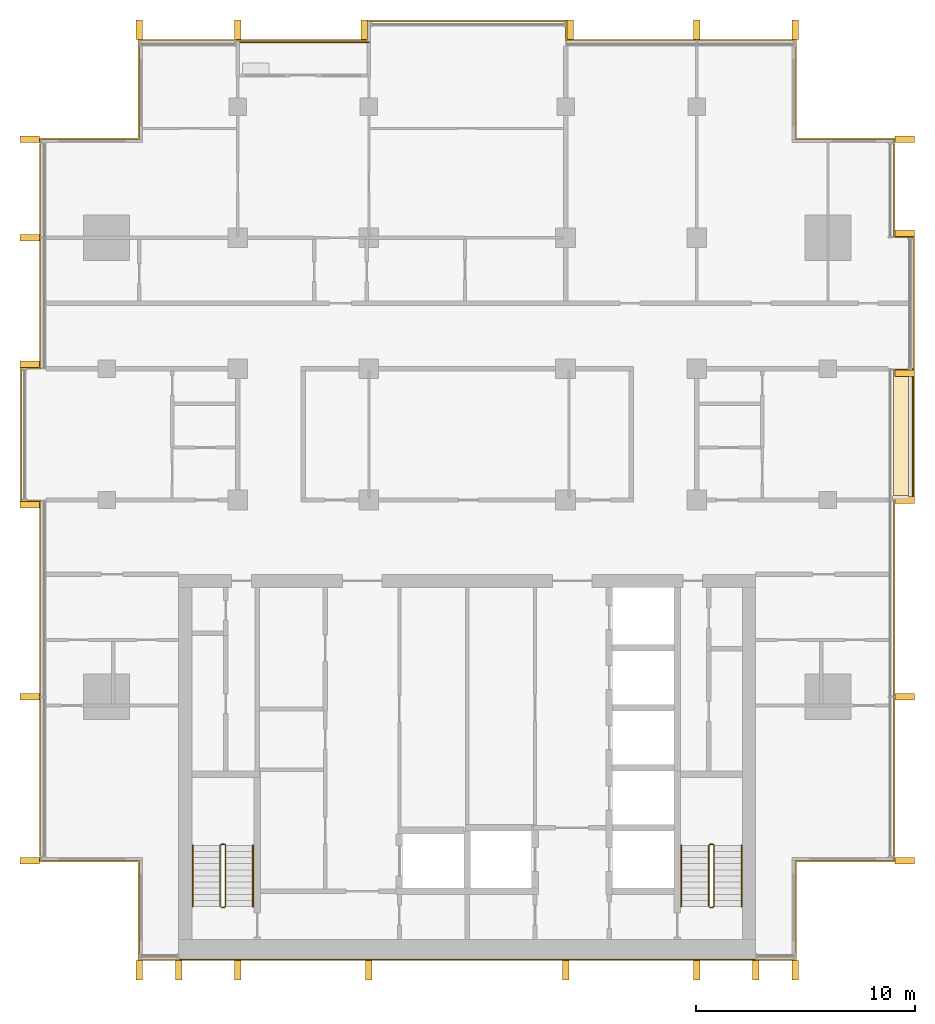
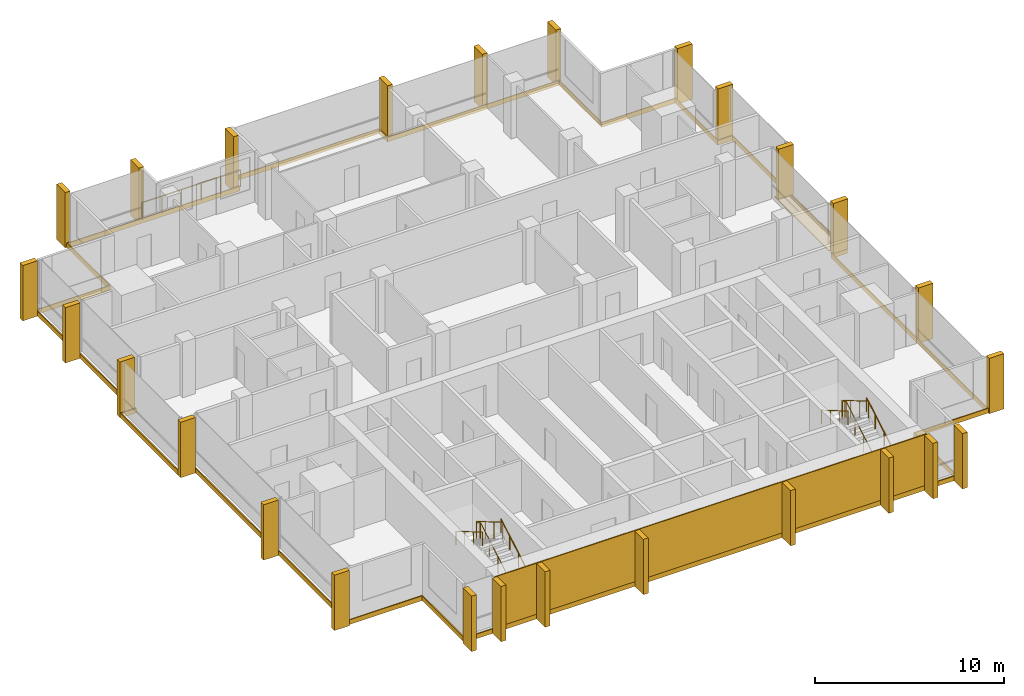
# One storey, part 15 of 15: 26 shading devices, 8 coverings, 7 railings.
"""IFC4 building model written with IfcOpenShell, lengths in metres."""

from ifc_helpers import new_model, si_unit, direction, frame, origin, origin_2d, place, context, subcontext, project, spatial, polyline, rectangle, circle, outline, extrude, material, layer, layer_set, type_object, element, save


model = new_model("IFC4")

# Units and contexts
model_context = context("Model", 3, precision=1e-05, world=origin(), true_north=direction((0.0, 1.0)))
body_context = subcontext(model_context, "Body", "Model", "MODEL_VIEW")
ifc_project = project(units=[si_unit("LENGTHUNIT", "METRE"), si_unit("AREAUNIT", "SQUARE_METRE"), si_unit("VOLUMEUNIT", "CUBIC_METRE"), si_unit("PLANEANGLEUNIT", "RADIAN"), si_unit("MASSUNIT", "GRAM", prefix="KILO")], contexts=[model_context])

# Site, building, storey
site_placement = place(None, origin())
site = spatial("IfcSite", under=ifc_project, at=site_placement, CompositionType="ELEMENT")
building_placement = place(site_placement, origin())
building = spatial("IfcBuilding", under=site, at=building_placement, Name="Finial Court Residences", CompositionType="ELEMENT")
storey_placement = place(building_placement, frame((0.0, 0.0, 226.699951171875)))
storey = spatial("IfcBuildingStorey", under=building, at=storey_placement, Name="L57", CompositionType="ELEMENT", Elevation=226.699951171875)

# Railing
ifc_material_1 = material(Name="Bronze anodised aluminium", Category="aluminium")
railing_type_1 = type_object("IfcRailingType", Name="Balcony guard 1100", PredefinedType="GUARDRAIL", material=ifc_material_1)
railing_1_placement = place(storey_placement, frame((-10.5, 16.449951171875, 0.0)))
element("IfcRailing", 1, at=railing_1_placement, inside=storey, type_object=railing_type_1, Name="E-L57-BALN2-R", PredefinedType="GUARDRAIL", context=body_context, shape_type="SweptSolid", body=[
    extrude(circle(Radius=0.02392578125, at=origin_2d()), frame((0.0, 0.0, 1.076171875), z_axis=(1.0, 0.0, 0.0), x_axis=(0.0, 1.0, 0.0)), (0.0, 0.0, 1.0), 6.0),
    extrude(circle(Radius=0.02099609375, at=origin_2d()), origin(), (0.0, 0.0, 1.0), 1.052001953125),
    extrude(circle(Radius=0.02099609375, at=origin_2d()), frame((1.199951171875, 0.0, 0.0)), (0.0, 0.0, 1.0), 1.052001953125),
    extrude(circle(Radius=0.02099609375, at=origin_2d()), frame((2.39990234375, 0.0, 0.0)), (0.0, 0.0, 1.0), 1.052001953125),
    extrude(circle(Radius=0.02099609375, at=origin_2d()), frame((3.60009765625, 0.0, 0.0)), (0.0, 0.0, 1.0), 1.052001953125),
    extrude(circle(Radius=0.02099609375, at=origin_2d()), frame((4.800048828125, 0.0, 0.0)), (0.0, 0.0, 1.0), 1.052001953125),
    extrude(circle(Radius=0.02099609375, at=origin_2d()), frame((6.0, 0.0, 0.0)), (0.0, 0.0, 1.0), 1.052001953125),
])

# Coverings
ifc_material_2 = material(Name="Natural limestone", Category="masonry")
ifc_layer_1 = layer(ifc_material_2, 0.06005859375)
ifc_layer_set_1 = layer_set([ifc_layer_1], Name="Limestone cladding to the blind core face 60")
covering_type_1 = type_object("IfcCoveringType", Name="Limestone cladding to the blind core face 60", PredefinedType="CLADDING", material=ifc_layer_set_1)
covering_1_placement = place(storey_placement, origin())
element("IfcCovering", 2, at=covering_1_placement, inside=storey, type_object=covering_type_1, Name="E-L57-CLAD1", PredefinedType="CLADDING", context=body_context, shape_type="SweptSolid", body=[
    extrude(outline(polyline([(-10.5, -25.56005859375), (-10.5, -25.5), (-13.199951171875, -25.5), (-13.199951171875, -25.56005859375), (-10.5, -25.56005859375)])), origin(), (0.0, 0.0, 1.0), 3.300048828125),
])
covering_2_placement = place(storey_placement, origin())
element("IfcCovering", 3, at=covering_2_placement, inside=storey, type_object=covering_type_1, Name="E-L57-CLAD2", PredefinedType="CLADDING", context=body_context, shape_type="SweptSolid", body=[
    extrude(outline(polyline([(-4.5, -25.56005859375), (-4.5, -25.5), (-10.5, -25.5), (-10.5, -25.56005859375), (-4.5, -25.56005859375)])), origin(), (0.0, 0.0, 1.0), 3.300048828125),
])
covering_3_placement = place(storey_placement, origin())
element("IfcCovering", 4, at=covering_3_placement, inside=storey, type_object=covering_type_1, Name="E-L57-CLAD3", PredefinedType="CLADDING", context=body_context, shape_type="SweptSolid", body=[
    extrude(outline(polyline([(4.5, -25.56005859375), (4.5, -25.5), (-4.5, -25.5), (-4.5, -25.56005859375), (4.5, -25.56005859375)])), origin(), (0.0, 0.0, 1.0), 3.300048828125),
])
covering_4_placement = place(storey_placement, origin())
element("IfcCovering", 5, at=covering_4_placement, inside=storey, type_object=covering_type_1, Name="E-L57-CLAD4", PredefinedType="CLADDING", context=body_context, shape_type="SweptSolid", body=[
    extrude(outline(polyline([(10.5, -25.56005859375), (10.5, -25.5), (4.5, -25.5), (4.5, -25.56005859375), (10.5, -25.56005859375)])), origin(), (0.0, 0.0, 1.0), 3.300048828125),
])
covering_5_placement = place(storey_placement, origin())
element("IfcCovering", 6, at=covering_5_placement, inside=storey, type_object=covering_type_1, Name="E-L57-CLAD5", PredefinedType="CLADDING", context=body_context, shape_type="SweptSolid", body=[
    extrude(outline(polyline([(13.199951171875, -25.56005859375), (13.199951171875, -25.5), (10.5, -25.5), (10.5, -25.56005859375), (13.199951171875, -25.56005859375)])), origin(), (0.0, 0.0, 1.0), 3.300048828125),
])

# Shading devices
shading_device_type = type_object("IfcShadingDeviceType", Name="Limestone fin 300 x 900", PredefinedType="USERDEFINED", material=ifc_material_2)
for number, where, z_axis, x_axis, name in (
    (7, (-15.0, 17.010009765625, -0.300048828125), (0.0, 0.0, 1.0), (1.0, 0.0, 0.0), "E-L57-FIN-N1"),
    (8, (-10.5, 17.010009765625, -0.300048828125), (0.0, 0.0, 1.0), (1.0, 0.0, 0.0), "E-L57-FIN-N2"),
    (9, (-4.7099609375, 17.010009765625, -0.300048828125), (0.0, 0.0, 1.0), (1.0, 0.0, 0.0), "E-L57-FIN-N3"),
    (10, (4.7099609375, 17.010009765625, -0.300048828125), (0.0, 0.0, 1.0), (1.0, 0.0, 0.0), "E-L57-FIN-N4"),
    (11, (10.5, 17.010009765625, -0.300048828125), (0.0, 0.0, 1.0), (1.0, 0.0, 0.0), "E-L57-FIN-N5"),
    (12, (15.0, 17.010009765625, -0.300048828125), (0.0, 0.0, 1.0), (1.0, 0.0, 0.0), "E-L57-FIN-N6"),
):
    element("IfcShadingDevice", number, at=place(storey_placement, frame(where, z_axis=z_axis, x_axis=x_axis)), inside=storey, type_object=shading_device_type, Name=name, ObjectType="FIN", PredefinedType="USERDEFINED", context=body_context, shape_type="SweptSolid", body=[
        extrude(rectangle(XDim=0.300048828125, YDim=0.89990234375, at=origin_2d()), origin(), (0.0, 0.0, 1.0), 3.580078125),
    ])
for number, where, z_axis, x_axis, name in (
    (13, (20.010009765625, -21.0, -0.300048828125), (0.0, 0.0, 1.0), (1.0, 0.0, 0.0), "E-L57-FIN-E7"),
    (14, (20.010009765625, -13.5, -0.300048828125), (0.0, 0.0, 1.0), (1.0, 0.0, 0.0), "E-L57-FIN-E8"),
):
    element("IfcShadingDevice", number, at=place(storey_placement, frame(where, z_axis=z_axis, x_axis=x_axis)), inside=storey, type_object=shading_device_type, Name=name, ObjectType="FIN", PredefinedType="USERDEFINED", context=body_context, shape_type="SweptSolid", body=[
        extrude(rectangle(XDim=0.89990234375, YDim=0.300048828125, at=origin_2d()), origin(), (0.0, 0.0, 1.0), 3.580078125),
    ])
for number, where, z_axis, x_axis, name in (
    (15, (20.010009765625, -4.5, 0.0400390625), (0.0, 0.0, 1.0), (1.0, 0.0, 0.0), "E-L57-FIN-E9"),
    (16, (20.010009765625, 1.2900390625, 0.0400390625), (0.0, 0.0, 1.0), (1.0, 0.0, 0.0), "E-L57-FIN-E10"),
):
    element("IfcShadingDevice", number, at=place(storey_placement, frame(where, z_axis=z_axis, x_axis=x_axis)), inside=storey, type_object=shading_device_type, Name=name, ObjectType="FIN", PredefinedType="USERDEFINED", context=body_context, shape_type="SweptSolid", body=[
        extrude(rectangle(XDim=0.89990234375, YDim=0.300048828125, at=origin_2d()), origin(), (0.0, 0.0, 1.0), 3.239990234375),
    ])
for number, where, z_axis, x_axis, name in (
    (17, (20.010009765625, 7.7099609375, -0.300048828125), (0.0, 0.0, 1.0), (1.0, 0.0, 0.0), "E-L57-FIN-E11"),
    (18, (20.010009765625, 12.0, -0.300048828125), (0.0, 0.0, 1.0), (1.0, 0.0, 0.0), "E-L57-FIN-E12"),
):
    element("IfcShadingDevice", number, at=place(storey_placement, frame(where, z_axis=z_axis, x_axis=x_axis)), inside=storey, type_object=shading_device_type, Name=name, ObjectType="FIN", PredefinedType="USERDEFINED", context=body_context, shape_type="SweptSolid", body=[
        extrude(rectangle(XDim=0.89990234375, YDim=0.300048828125, at=origin_2d()), origin(), (0.0, 0.0, 1.0), 3.580078125),
    ])
for number, where, z_axis, x_axis, name in (
    (19, (-15.0, -26.010009765625, -0.300048828125), (0.0, 0.0, 1.0), (1.0, 0.0, 0.0), "E-L57-FIN-S13"),
    (20, (-13.199951171875, -26.010009765625, -0.300048828125), (0.0, 0.0, 1.0), (1.0, 0.0, 0.0), "E-L57-FIN-S14"),
    (21, (-10.5, -26.010009765625, -0.300048828125), (0.0, 0.0, 1.0), (1.0, 0.0, 0.0), "E-L57-FIN-S15"),
    (22, (-4.5, -26.010009765625, -0.300048828125), (0.0, 0.0, 1.0), (1.0, 0.0, 0.0), "E-L57-FIN-S16"),
    (23, (4.5, -26.010009765625, -0.300048828125), (0.0, 0.0, 1.0), (1.0, 0.0, 0.0), "E-L57-FIN-S17"),
    (24, (10.5, -26.010009765625, -0.300048828125), (0.0, 0.0, 1.0), (1.0, 0.0, 0.0), "E-L57-FIN-S18"),
    (25, (13.199951171875, -26.010009765625, -0.300048828125), (0.0, 0.0, 1.0), (1.0, 0.0, 0.0), "E-L57-FIN-S19"),
    (26, (15.0, -26.010009765625, -0.300048828125), (0.0, 0.0, 1.0), (1.0, 0.0, 0.0), "E-L57-FIN-S20"),
):
    element("IfcShadingDevice", number, at=place(storey_placement, frame(where, z_axis=z_axis, x_axis=x_axis)), inside=storey, type_object=shading_device_type, Name=name, ObjectType="FIN", PredefinedType="USERDEFINED", context=body_context, shape_type="SweptSolid", body=[
        extrude(rectangle(XDim=0.300048828125, YDim=0.89990234375, at=origin_2d()), origin(), (0.0, 0.0, 1.0), 3.580078125),
    ])
for number, where, z_axis, x_axis, name in (
    (27, (-20.010009765625, -21.0, -0.300048828125), (0.0, 0.0, 1.0), (1.0, 0.0, 0.0), "E-L57-FIN-W21"),
    (28, (-20.010009765625, -13.5, -0.300048828125), (0.0, 0.0, 1.0), (1.0, 0.0, 0.0), "E-L57-FIN-W22"),
    (29, (-20.010009765625, -4.7099609375, -0.300048828125), (0.0, 0.0, 1.0), (1.0, 0.0, 0.0), "E-L57-FIN-W23"),
    (30, (-20.010009765625, 1.7099609375, -0.300048828125), (0.0, 0.0, 1.0), (1.0, 0.0, 0.0), "E-L57-FIN-W24"),
    (31, (-20.010009765625, 7.5, -0.300048828125), (0.0, 0.0, 1.0), (1.0, 0.0, 0.0), "E-L57-FIN-W25"),
    (32, (-20.010009765625, 12.0, -0.300048828125), (0.0, 0.0, 1.0), (1.0, 0.0, 0.0), "E-L57-FIN-W26"),
):
    element("IfcShadingDevice", number, at=place(storey_placement, frame(where, z_axis=z_axis, x_axis=x_axis)), inside=storey, type_object=shading_device_type, Name=name, ObjectType="FIN", PredefinedType="USERDEFINED", context=body_context, shape_type="SweptSolid", body=[
        extrude(rectangle(XDim=0.89990234375, YDim=0.300048828125, at=origin_2d()), origin(), (0.0, 0.0, 1.0), 3.580078125),
    ])

# Coverings
ifc_material_3 = material(Name="Pale limestone", Category="masonry")
ifc_layer_2 = layer(ifc_material_3, 0.06005859375)
ifc_layer_set_2 = layer_set([ifc_layer_2], Name="Pale limestone slab-edge band 60")
covering_type_2 = type_object("IfcCoveringType", Name="Pale limestone slab-edge band 60", PredefinedType="CLADDING", material=ifc_layer_set_2)
covering_6_placement = place(storey_placement, frame((0.0, 0.0, -0.300048828125)))
element("IfcCovering", 33, at=covering_6_placement, inside=storey, type_object=covering_type_2, Name="E-L57-BAND1", PredefinedType="CLADDING", context=body_context, shape_type="SweptSolid", body=[
    extrude(outline(polyline([(-19.56005859375, -4.56005859375), (-20.4599609375, -4.56005859375), (-20.4599609375, 1.56005859375), (-19.56005859375, 1.56005859375), (-19.56005859375, 12.06005859375), (-15.06005859375, 12.06005859375), (-15.06005859375, 16.56005859375), (-4.56005859375, 16.56005859375), (-4.56005859375, 17.4599609375), (4.56005859375, 17.4599609375), (4.56005859375, 16.56005859375), (15.06005859375, 16.56005859375), (15.06005859375, 12.06005859375), (19.56005859375, 12.06005859375), (19.56005859375, 7.56005859375), (20.4599609375, 7.56005859375), (20.4599609375, -4.56005859375), (19.56005859375, -4.56005859375), (19.56005859375, -21.06005859375), (15.06005859375, -21.06005859375), (15.06005859375, -25.56005859375), (-15.06005859375, -25.56005859375), (-15.06005859375, -21.06005859375), (-19.56005859375, -21.06005859375), (-19.56005859375, -4.56005859375)]), holes=[polyline([(-15.0, -21.0), (-15.0, -25.5), (15.0, -25.5), (15.0, -21.0), (19.5, -21.0), (19.5, -4.5), (20.39990234375, -4.5), (20.39990234375, 1.5), (20.39990234375, 7.5), (19.5, 7.5), (19.5, 12.0), (15.0, 12.0), (15.0, 16.5), (4.5, 16.5), (4.5, 17.39990234375), (-4.5, 17.39990234375), (-4.5, 16.5), (-10.5, 16.5), (-15.0, 16.5), (-15.0, 12.0), (-19.5, 12.0), (-19.5, 1.5), (-20.39990234375, 1.5), (-20.39990234375, -4.5), (-19.5, -4.5), (-19.5, -21.0), (-15.0, -21.0)])]), origin(), (0.0, 0.0, 1.0), 0.300048828125),
])
ifc_material_4 = material(Name="Bitumen membrane")
ifc_layer_3 = layer(ifc_material_4, 0.0400390625)
ifc_layer_set_3 = layer_set([ifc_layer_3], Name="Push box roofing, bitumen membrane 40")
covering_type_3 = type_object("IfcCoveringType", Name="Push box roofing, bitumen membrane 40", PredefinedType="ROOFING", material=ifc_layer_set_3)
covering_7_placement = place(storey_placement, origin())
element("IfcCovering", 34, at=covering_7_placement, inside=storey, type_object=covering_type_3, Name="E-L57-LED1", PredefinedType="ROOFING", context=body_context, shape_type="SweptSolid", body=[
    extrude(outline(polyline([(19.5, -4.449951171875), (20.199951171875, -4.449951171875), (20.35009765625, -4.449951171875), (20.35009765625, 1.5), (20.39990234375, 1.5), (20.39990234375, -4.5), (19.5, -4.5), (19.5, -4.449951171875)])), origin(), (0.0, 0.0, 1.0), 0.0400390625),
])
covering_8_placement = place(storey_placement, origin())
element("IfcCovering", 35, at=covering_8_placement, inside=storey, type_object=covering_type_3, Name="E-L57-LED1b", PredefinedType="ROOFING", context=body_context, shape_type="SweptSolid", body=[
    extrude(outline(polyline([(19.5, 1.5), (20.199951171875, 1.5), (20.199951171875, -4.300048828125), (19.5, -4.300048828125), (19.5, 1.5)])), origin(), (0.0, 0.0, 1.0), 0.0400390625),
])

# Railings
ifc_material_5 = material(Name="Stainless steel railing", Category="steel")
railing_type_2 = type_object("IfcRailingType", Name="Stair guard 1100", PredefinedType="GUARDRAIL", material=ifc_material_5)
railing_2_placement = place(storey_placement, frame((-11.10009765625, -23.14990234375, 0.0)))
element("IfcRailing", 36, at=railing_2_placement, inside=storey, type_object=railing_type_2, Name="L57 ST-1 stair guard 1", PredefinedType="GUARDRAIL", context=body_context, shape_type="SweptSolid", body=[
    extrude(circle(Radius=0.02392578125, at=origin_2d()), frame((0.0, 0.0, 1.076171875), z_axis=(-1.0, 0.0, 0.0), x_axis=(0.0, -1.0, 0.0)), (0.0, 0.0, 1.0), 0.14990234375),
    extrude(circle(Radius=0.02392578125, at=origin_2d()), frame((-0.14990234375, 0.0, 1.076171875), z_axis=(0.760004195007, 0.189305074214, 0.621737253547), x_axis=(-0.241699205484, 0.970351222016, 0.0)), (0.0, 0.0, 1.0), 0.26318359375),
    extrude(circle(Radius=0.02392578125, at=origin_2d()), frame((0.050048828125, 0.0498046875, 1.23974609375), z_axis=(0.0, 0.863360870873, 0.504586966384), x_axis=(-1.0, 0.0, 0.0)), (0.0, 0.0, 1.0), 3.2431640625),
    extrude(circle(Radius=0.02392578125, at=origin_2d()), frame((0.050048828125, 2.849853515625, 2.8759765625), z_axis=(-0.707106781187, 0.707106781187, 0.0), x_axis=(-0.707106781187, -0.707106781187, 0.0)), (0.0, 0.0, 1.0), 0.07080078125),
    extrude(circle(Radius=0.02392578125, at=origin_2d()), frame((0.0, 2.89990234375, 2.8759765625), z_axis=(-1.0, 0.0, 0.0), x_axis=(0.0, -1.0, 0.0)), (0.0, 0.0, 1.0), 0.14990234375),
    extrude(circle(Radius=0.02392578125, at=origin_2d()), frame((-0.14990234375, 2.89990234375, 2.8759765625), z_axis=(-0.280808744504, -0.280808744504, 0.917765164963), x_axis=(0.707106781187, -0.707106781187, 0.0)), (0.0, 0.0, 1.0), 0.17822265625),
    extrude(circle(Radius=0.02392578125, at=origin_2d()), frame((-0.199951171875, 2.849853515625, 3.03955078125), z_axis=(0.0, -0.863360870873, 0.504586966384), x_axis=(1.0, 0.0, 0.0)), (0.0, 0.0, 1.0), 3.2431640625),
    extrude(circle(Radius=0.02099609375, at=origin_2d()), origin(), (0.0, 0.0, 1.0), 1.052001953125),
    extrude(circle(Radius=0.02099609375, at=origin_2d()), frame((-0.14990234375, 0.0, 0.0)), (0.0, 0.0, 1.0), 1.052001953125),
    extrude(circle(Radius=0.02099609375, at=origin_2d()), frame((0.050048828125, 0.0498046875, 0.16357421875)), (0.0, 0.0, 1.0), 1.052001953125),
    extrude(circle(Radius=0.02099609375, at=origin_2d()), frame((0.050048828125, 0.983154296875, 0.708984375)), (0.0, 0.0, 1.0), 1.052001953125),
    extrude(circle(Radius=0.02099609375, at=origin_2d()), frame((0.050048828125, 1.91650390625, 1.254638671875)), (0.0, 0.0, 1.0), 1.052001953125),
    extrude(circle(Radius=0.02099609375, at=origin_2d()), frame((0.050048828125, 2.849853515625, 1.800048828125)), (0.0, 0.0, 1.0), 1.052001953125),
    extrude(circle(Radius=0.02099609375, at=origin_2d()), frame((0.0, 2.89990234375, 1.800048828125)), (0.0, 0.0, 1.0), 1.052001953125),
    extrude(circle(Radius=0.02099609375, at=origin_2d()), frame((-0.14990234375, 2.89990234375, 1.800048828125)), (0.0, 0.0, 1.0), 1.052001953125),
    extrude(circle(Radius=0.02099609375, at=origin_2d()), frame((-0.199951171875, 2.849853515625, 1.963623046875)), (0.0, 0.0, 1.0), 1.052001953125),
    extrude(circle(Radius=0.02099609375, at=origin_2d()), frame((-0.199951171875, 1.91650390625, 2.509033203125)), (0.0, 0.0, 1.0), 1.052001953125),
    extrude(circle(Radius=0.02099609375, at=origin_2d()), frame((-0.199951171875, 0.983154296875, 3.0546875)), (0.0, 0.0, 1.0), 1.052001953125),
    extrude(circle(Radius=0.02099609375, at=origin_2d()), frame((-0.199951171875, 0.0498046875, 3.60009765625)), (0.0, 0.0, 1.0), 1.052001953125),
])
railing_3_placement = place(storey_placement, frame((11.25, -23.14990234375, 0.0)))
element("IfcRailing", 37, at=railing_3_placement, inside=storey, type_object=railing_type_2, Name="L57 ST-2 stair guard 1", PredefinedType="GUARDRAIL", context=body_context, shape_type="SweptSolid", body=[
    extrude(circle(Radius=0.02392578125, at=origin_2d()), frame((0.0, 0.0, 1.076171875), z_axis=(-1.0, 0.0, 0.0), x_axis=(0.0, -1.0, 0.0)), (0.0, 0.0, 1.0), 0.14990234375),
    extrude(circle(Radius=0.02392578125, at=origin_2d()), frame((-0.14990234375, 0.0, 1.076171875), z_axis=(0.760004195007, 0.189305074214, 0.621737253547), x_axis=(-0.241699205484, 0.970351222016, 0.0)), (0.0, 0.0, 1.0), 0.26318359375),
    extrude(circle(Radius=0.02392578125, at=origin_2d()), frame((0.050048828125, 0.0498046875, 1.23974609375), z_axis=(0.0, 0.863360870873, 0.504586966384), x_axis=(-1.0, 0.0, 0.0)), (0.0, 0.0, 1.0), 3.2431640625),
    extrude(circle(Radius=0.02392578125, at=origin_2d()), frame((0.050048828125, 2.849853515625, 2.8759765625), z_axis=(-0.707106781187, 0.707106781187, 0.0), x_axis=(-0.707106781187, -0.707106781187, 0.0)), (0.0, 0.0, 1.0), 0.07080078125),
    extrude(circle(Radius=0.02392578125, at=origin_2d()), frame((0.0, 2.89990234375, 2.8759765625), z_axis=(-1.0, 0.0, 0.0), x_axis=(0.0, -1.0, 0.0)), (0.0, 0.0, 1.0), 0.14990234375),
    extrude(circle(Radius=0.02392578125, at=origin_2d()), frame((-0.14990234375, 2.89990234375, 2.8759765625), z_axis=(-0.280808744504, -0.280808744504, 0.917765164963), x_axis=(0.707106781187, -0.707106781187, 0.0)), (0.0, 0.0, 1.0), 0.17822265625),
    extrude(circle(Radius=0.02392578125, at=origin_2d()), frame((-0.199951171875, 2.849853515625, 3.03955078125), z_axis=(0.0, -0.863360870873, 0.504586966384), x_axis=(1.0, 0.0, 0.0)), (0.0, 0.0, 1.0), 3.2431640625),
    extrude(circle(Radius=0.02099609375, at=origin_2d()), origin(), (0.0, 0.0, 1.0), 1.052001953125),
    extrude(circle(Radius=0.02099609375, at=origin_2d()), frame((-0.14990234375, 0.0, 0.0)), (0.0, 0.0, 1.0), 1.052001953125),
    extrude(circle(Radius=0.02099609375, at=origin_2d()), frame((0.050048828125, 0.0498046875, 0.16357421875)), (0.0, 0.0, 1.0), 1.052001953125),
    extrude(circle(Radius=0.02099609375, at=origin_2d()), frame((0.050048828125, 0.983154296875, 0.708984375)), (0.0, 0.0, 1.0), 1.052001953125),
    extrude(circle(Radius=0.02099609375, at=origin_2d()), frame((0.050048828125, 1.91650390625, 1.254638671875)), (0.0, 0.0, 1.0), 1.052001953125),
    extrude(circle(Radius=0.02099609375, at=origin_2d()), frame((0.050048828125, 2.849853515625, 1.800048828125)), (0.0, 0.0, 1.0), 1.052001953125),
    extrude(circle(Radius=0.02099609375, at=origin_2d()), frame((0.0, 2.89990234375, 1.800048828125)), (0.0, 0.0, 1.0), 1.052001953125),
    extrude(circle(Radius=0.02099609375, at=origin_2d()), frame((-0.14990234375, 2.89990234375, 1.800048828125)), (0.0, 0.0, 1.0), 1.052001953125),
    extrude(circle(Radius=0.02099609375, at=origin_2d()), frame((-0.199951171875, 2.849853515625, 1.963623046875)), (0.0, 0.0, 1.0), 1.052001953125),
    extrude(circle(Radius=0.02099609375, at=origin_2d()), frame((-0.199951171875, 1.91650390625, 2.509033203125)), (0.0, 0.0, 1.0), 1.052001953125),
    extrude(circle(Radius=0.02099609375, at=origin_2d()), frame((-0.199951171875, 0.983154296875, 3.0546875)), (0.0, 0.0, 1.0), 1.052001953125),
    extrude(circle(Radius=0.02099609375, at=origin_2d()), frame((-0.199951171875, 0.0498046875, 3.60009765625)), (0.0, 0.0, 1.0), 1.052001953125),
])
railing_type_3 = type_object("IfcRailingType", Name="Stair handrail 900", PredefinedType="HANDRAIL", material=ifc_material_5)
railing_4_placement = place(storey_placement, frame((-9.800048828125, -23.10009765625, 0.16357421875)))
element("IfcRailing", 38, at=railing_4_placement, inside=storey, type_object=railing_type_3, Name="L57 ST-1 stair handrail 1", PredefinedType="HANDRAIL", context=body_context, shape_type="SweptSolid", body=[
    extrude(circle(Radius=0.02392578125, at=origin_2d()), frame((0.0, 0.0, 0.8759765625), z_axis=(0.0, 0.863360870873, 0.504586966384), x_axis=(-1.0, 0.0, 0.0)), (0.0, 0.0, 1.0), 3.2431640625),
    extrude(circle(Radius=0.02099609375, at=origin_2d()), origin(), (0.0, 0.0, 1.0), 0.851806640625),
    extrude(circle(Radius=0.02099609375, at=origin_2d()), frame((0.0, 0.933349609375, 0.54541015625)), (0.0, 0.0, 1.0), 0.851806640625),
    extrude(circle(Radius=0.02099609375, at=origin_2d()), frame((0.0, 1.86669921875, 1.091064453125)), (0.0, 0.0, 1.0), 0.851806640625),
    extrude(circle(Radius=0.02099609375, at=origin_2d()), frame((0.0, 2.800048828125, 1.636474609375)), (0.0, 0.0, 1.0), 0.851806640625),
])
railing_5_placement = place(storey_placement, frame((-12.550048828125, -20.300048828125, 1.963623046875)))
element("IfcRailing", 39, at=railing_5_placement, inside=storey, type_object=railing_type_3, Name="L57 ST-1 stair handrail 2", PredefinedType="HANDRAIL", context=body_context, shape_type="SweptSolid", body=[
    extrude(circle(Radius=0.02392578125, at=origin_2d()), frame((0.0, 0.0, 0.8759765625), z_axis=(0.0, -0.863360870873, 0.504586966384), x_axis=(1.0, 0.0, 0.0)), (0.0, 0.0, 1.0), 3.2431640625),
    extrude(circle(Radius=0.02099609375, at=origin_2d()), origin(), (0.0, 0.0, 1.0), 0.851806640625),
    extrude(circle(Radius=0.02099609375, at=origin_2d()), frame((0.0, -0.933349609375, 0.54541015625)), (0.0, 0.0, 1.0), 0.851806640625),
    extrude(circle(Radius=0.02099609375, at=origin_2d()), frame((0.0, -1.86669921875, 1.091064453125)), (0.0, 0.0, 1.0), 0.851806640625),
    extrude(circle(Radius=0.02099609375, at=origin_2d()), frame((0.0, -2.800048828125, 1.636474609375)), (0.0, 0.0, 1.0), 0.851806640625),
])
railing_6_placement = place(storey_placement, frame((12.550048828125, -23.10009765625, 0.16357421875)))
element("IfcRailing", 40, at=railing_6_placement, inside=storey, type_object=railing_type_3, Name="L57 ST-2 stair handrail 1", PredefinedType="HANDRAIL", context=body_context, shape_type="SweptSolid", body=[
    extrude(circle(Radius=0.02392578125, at=origin_2d()), frame((0.0, 0.0, 0.8759765625), z_axis=(0.0, 0.863360870873, 0.504586966384), x_axis=(-1.0, 0.0, 0.0)), (0.0, 0.0, 1.0), 3.2431640625),
    extrude(circle(Radius=0.02099609375, at=origin_2d()), origin(), (0.0, 0.0, 1.0), 0.851806640625),
    extrude(circle(Radius=0.02099609375, at=origin_2d()), frame((0.0, 0.933349609375, 0.54541015625)), (0.0, 0.0, 1.0), 0.851806640625),
    extrude(circle(Radius=0.02099609375, at=origin_2d()), frame((0.0, 1.86669921875, 1.091064453125)), (0.0, 0.0, 1.0), 0.851806640625),
    extrude(circle(Radius=0.02099609375, at=origin_2d()), frame((0.0, 2.800048828125, 1.636474609375)), (0.0, 0.0, 1.0), 0.851806640625),
])
railing_7_placement = place(storey_placement, frame((9.800048828125, -20.300048828125, 1.963623046875)))
element("IfcRailing", 41, at=railing_7_placement, inside=storey, type_object=railing_type_3, Name="L57 ST-2 stair handrail 2", PredefinedType="HANDRAIL", context=body_context, shape_type="SweptSolid", body=[
    extrude(circle(Radius=0.02392578125, at=origin_2d()), frame((0.0, 0.0, 0.8759765625), z_axis=(0.0, -0.863360870873, 0.504586966384), x_axis=(1.0, 0.0, 0.0)), (0.0, 0.0, 1.0), 3.2431640625),
    extrude(circle(Radius=0.02099609375, at=origin_2d()), origin(), (0.0, 0.0, 1.0), 0.851806640625),
    extrude(circle(Radius=0.02099609375, at=origin_2d()), frame((0.0, -0.933349609375, 0.54541015625)), (0.0, 0.0, 1.0), 0.851806640625),
    extrude(circle(Radius=0.02099609375, at=origin_2d()), frame((0.0, -1.86669921875, 1.091064453125)), (0.0, 0.0, 1.0), 0.851806640625),
    extrude(circle(Radius=0.02099609375, at=origin_2d()), frame((0.0, -2.800048828125, 1.636474609375)), (0.0, 0.0, 1.0), 0.851806640625),
])

save(model, "model.ifc")
